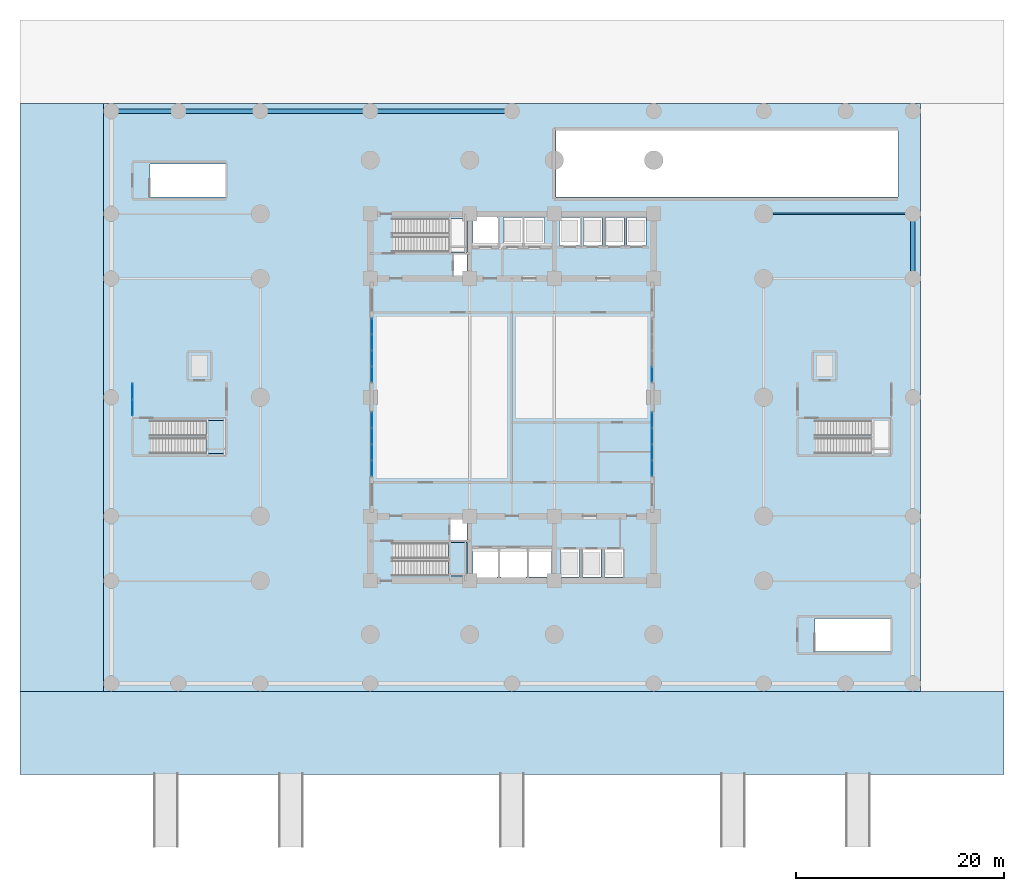
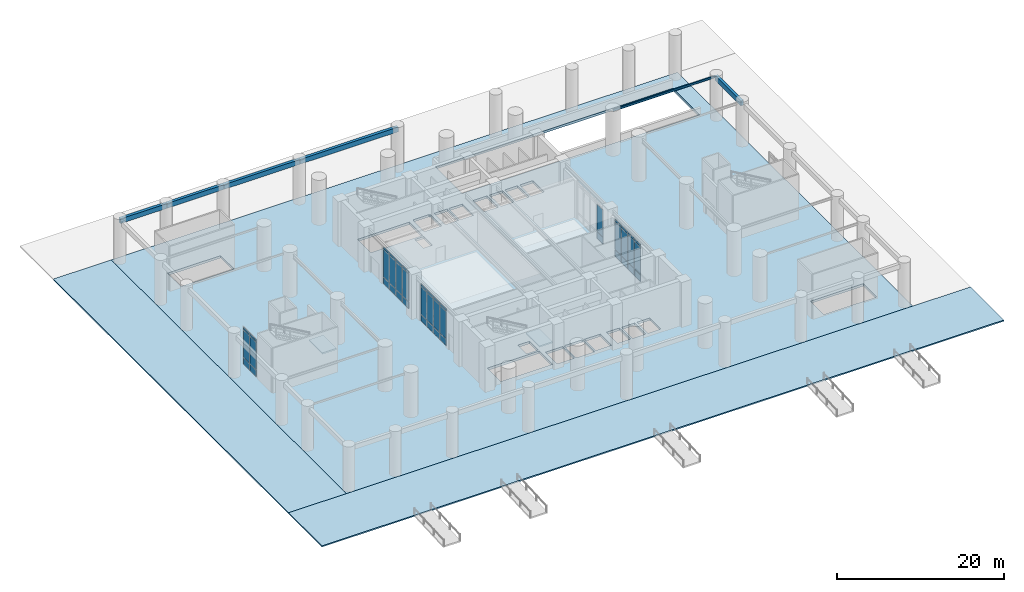
# One storey, part 5 of 16: 44 plates, 6 beams, 5 slabs, 7 elements without a shape of their own.
"""IFC4 building model written with IfcOpenShell, lengths in metres."""

from ifc_helpers import new_model, si_unit, direction, frame, origin, origin_2d, place, context, subcontext, project, spatial, polyline, rectangle, i_section, outline, extrude, material, layer, layer_set, material_profile, profile_set, type_object, element, aggregate, save


model = new_model("IFC4")

# Units and contexts
model_context = context("Model", 3, precision=1e-05, world=origin(), true_north=direction((0.0, 1.0)))
body_context = subcontext(model_context, "Body", "Model", "MODEL_VIEW")
ifc_project = project(units=[si_unit("LENGTHUNIT", "METRE"), si_unit("AREAUNIT", "SQUARE_METRE"), si_unit("VOLUMEUNIT", "CUBIC_METRE"), si_unit("PLANEANGLEUNIT", "RADIAN"), si_unit("MASSUNIT", "GRAM", prefix="KILO")], contexts=[model_context])

# Site, building, storey
site_placement = place(None, origin())
site = spatial("IfcSite", under=ifc_project, at=site_placement, CompositionType="ELEMENT")
building_placement = place(site_placement, origin())
building = spatial("IfcBuilding", under=site, at=building_placement, Name="Svetorya Sky Lyceum", CompositionType="ELEMENT")
storey_placement = place(building_placement, origin())
storey = spatial("IfcBuildingStorey", under=building, at=storey_placement, Name="L00", CompositionType="ELEMENT", Elevation=0.0)

# Beams
ifc_material_1 = material(Name="Concrete C50/60", Category="concrete")
ifc_material_profile_1 = material_profile(ifc_material_1, rectangle(XDim=0.39990234375, YDim=0.699951171875, at=origin_2d()), Name="RC SPANDREL 400x700")
ifc_profile_set_1 = profile_set([ifc_material_profile_1], Name="Concrete C50/60")
beam_type_1 = type_object("IfcBeamType", Name="BM-SPN-700", PredefinedType="SPANDREL", material=ifc_profile_set_1)
beam_1_placement = place(storey_placement, frame((0.75, 55.64990234375, 5.949951171875), z_axis=(1.0, 0.0, 0.0), x_axis=(0.0, 1.0, 0.0)))
element("IfcBeam", 1, at=beam_1_placement, inside=storey, type_object=beam_type_1, Name="L00 Podium North Spandrel 1", PredefinedType="SPANDREL", context=body_context, shape_type="SweptSolid", body=[
    extrude(rectangle(XDim=0.39990234375, YDim=0.699951171875, at=origin_2d()), origin(), (0.0, 0.0, 1.0), 6.449951171875),
])
beam_2_placement = place(storey_placement, frame((7.199951171875, 55.64990234375, 5.949951171875), z_axis=(1.0, 0.0, 0.0), x_axis=(0.0, 1.0, 0.0)))
element("IfcBeam", 2, at=beam_2_placement, inside=storey, type_object=beam_type_1, Name="L00 Podium North Spandrel 2", PredefinedType="SPANDREL", context=body_context, shape_type="SweptSolid", body=[
    extrude(rectangle(XDim=0.39990234375, YDim=0.699951171875, at=origin_2d()), origin(), (0.0, 0.0, 1.0), 7.85009765625),
])
beam_3_placement = place(storey_placement, frame((15.050048828125, 55.64990234375, 5.949951171875), z_axis=(1.0, 0.0, 0.0), x_axis=(0.0, 1.0, 0.0)))
element("IfcBeam", 3, at=beam_3_placement, inside=storey, type_object=beam_type_1, Name="L00 Podium North Spandrel 3", PredefinedType="SPANDREL", context=body_context, shape_type="SweptSolid", body=[
    extrude(rectangle(XDim=0.39990234375, YDim=0.699951171875, at=origin_2d()), origin(), (0.0, 0.0, 1.0), 10.550048828125),
])
beam_4_placement = place(storey_placement, frame((25.60009765625, 55.64990234375, 5.949951171875), z_axis=(1.0, 0.0, 0.0), x_axis=(0.0, 1.0, 0.0)))
element("IfcBeam", 4, at=beam_4_placement, inside=storey, type_object=beam_type_1, Name="L00 Podium North Spandrel 4", PredefinedType="SPANDREL", context=body_context, shape_type="SweptSolid", body=[
    extrude(rectangle(XDim=0.39990234375, YDim=0.699951171875, at=origin_2d()), origin(), (0.0, 0.0, 1.0), 13.599853515625),
])
beam_5_placement = place(storey_placement, frame((77.64990234375, 39.60009765625, 5.949951171875), z_axis=(0.0, 1.0, 0.0), x_axis=(-1.0, 0.0, 0.0)))
element("IfcBeam", 5, at=beam_5_placement, inside=storey, type_object=beam_type_1, Name="L00 Podium East Spandrel 5", PredefinedType="SPANDREL", context=body_context, shape_type="SweptSolid", body=[
    extrude(rectangle(XDim=0.39990234375, YDim=0.699951171875, at=origin_2d()), origin(), (0.0, 0.0, 1.0), 6.199951171875),
])
ifc_material_2 = material(Name="Steel S355", Category="steel")
ifc_material_profile_2 = material_profile(ifc_material_2, i_section(OverallWidth=0.14990234375, OverallDepth=0.299072265625, WebThickness=0.006591796875, FlangeThickness=0.010498046875, at=origin_2d()), Name="GOST 30B2")
ifc_profile_set_2 = profile_set([ifc_material_profile_2], Name="Steel S355")
beam_type_2 = type_object("IfcBeamType", Name="BM-STL-30B2", PredefinedType="JOIST", material=ifc_profile_set_2)
beam_6_placement = place(storey_placement, frame((63.35009765625, 45.800048828125, 6.150390625), z_axis=(1.0, 0.0, 0.0), x_axis=(0.0, 1.0, 0.0)))
element("IfcBeam", 6, at=beam_6_placement, inside=storey, type_object=beam_type_2, Name="L00 Podium Wing Joist E4", PredefinedType="JOIST", context=body_context, shape_type="SweptSolid", body=[
    extrude(i_section(OverallWidth=0.14990234375, OverallDepth=0.299072265625, WebThickness=0.006591796875, FlangeThickness=0.010498046875, at=origin_2d()), origin(), (0.0, 0.0, 1.0), 14.2998046875),
])

# Curtain wall, plates
ifc_material_3 = material(Name="Thermally broken anodized aluminium and triple low-E glass", Category="aluminium")
curtain_wall_type = type_object("IfcCurtainWallType", Name="CW1-POD-FOY", PredefinedType="NOTDEFINED", material=ifc_material_3)
curtain_wall_1_placement = place(storey_placement, origin())
curtain_wall_1 = element("IfcCurtainWall", 7, at=curtain_wall_1_placement, inside=storey, type_object=curtain_wall_type, Name="Pilotis Foyer Curtain Wall CW-1.W1", PredefinedType="NOTDEFINED")
ifc_material_4 = material(Name="Triple insulated low-E solar-control glass", Category="glass")
ifc_layer_1 = layer(ifc_material_4, 0.048095703125)
ifc_layer_set_1 = layer_set([ifc_layer_1], Name="Triple insulated low-E solar-control glass")
plate_type = type_object("IfcPlateType", Name="CWP-GLZ-48", PredefinedType="CURTAIN_PANEL", material=ifc_layer_set_1)
plate_1_placement = place(storey_placement, frame((25.75, 21.393798828125, 0.073486328125), z_axis=(0.0, 0.0, 1.0), x_axis=(0.0, 1.0, 0.0)))
plate_1 = element("IfcPlate", 8, at=plate_1_placement, type_object=plate_type, Name="CW-1 panel 1.1", PredefinedType="CURTAIN_PANEL", context=body_context, shape_type="SweptSolid", body=[
    extrude(rectangle(XDim=1.4404296875, YDim=0.048095703125, at=origin_2d()), origin(), (0.0, 0.0, 1.0), 0.9404296875),
])
plate_2_placement = place(storey_placement, frame((25.75, 21.393798828125, 1.0859375), z_axis=(0.0, 0.0, 1.0), x_axis=(0.0, 1.0, 0.0)))
plate_2 = element("IfcPlate", 9, at=plate_2_placement, type_object=plate_type, Name="CW-1 panel 1.2", PredefinedType="CURTAIN_PANEL", context=body_context, shape_type="SweptSolid", body=[
    extrude(rectangle(XDim=1.4404296875, YDim=0.048095703125, at=origin_2d()), origin(), (0.0, 0.0, 1.0), 4.008056640625),
])
plate_3_placement = place(storey_placement, frame((25.75, 21.393798828125, 5.166015625), z_axis=(0.0, 0.0, 1.0), x_axis=(0.0, 1.0, 0.0)))
plate_3 = element("IfcPlate", 10, at=plate_3_placement, type_object=plate_type, Name="CW-1 panel 1.3", PredefinedType="CURTAIN_PANEL", context=body_context, shape_type="SweptSolid", body=[
    extrude(rectangle(XDim=1.4404296875, YDim=0.048095703125, at=origin_2d()), origin(), (0.0, 0.0, 1.0), 0.340576171875),
])
plate_4_placement = place(storey_placement, frame((25.75, 22.925048828125, 0.073486328125), z_axis=(0.0, 0.0, 1.0), x_axis=(0.0, 1.0, 0.0)))
plate_4 = element("IfcPlate", 11, at=plate_4_placement, type_object=plate_type, Name="CW-1 panel 2.1", PredefinedType="CURTAIN_PANEL", context=body_context, shape_type="SweptSolid", body=[
    extrude(rectangle(XDim=1.47802734375, YDim=0.048095703125, at=origin_2d()), origin(), (0.0, 0.0, 1.0), 0.9404296875),
])
plate_5_placement = place(storey_placement, frame((25.75, 22.925048828125, 1.0859375), z_axis=(0.0, 0.0, 1.0), x_axis=(0.0, 1.0, 0.0)))
plate_5 = element("IfcPlate", 12, at=plate_5_placement, type_object=plate_type, Name="CW-1 panel 2.2", PredefinedType="CURTAIN_PANEL", context=body_context, shape_type="SweptSolid", body=[
    extrude(rectangle(XDim=1.47802734375, YDim=0.048095703125, at=origin_2d()), origin(), (0.0, 0.0, 1.0), 4.008056640625),
])
plate_6_placement = place(storey_placement, frame((25.75, 22.925048828125, 5.166015625), z_axis=(0.0, 0.0, 1.0), x_axis=(0.0, 1.0, 0.0)))
plate_6 = element("IfcPlate", 13, at=plate_6_placement, type_object=plate_type, Name="CW-1 panel 2.3", PredefinedType="CURTAIN_PANEL", context=body_context, shape_type="SweptSolid", body=[
    extrude(rectangle(XDim=1.47802734375, YDim=0.048095703125, at=origin_2d()), origin(), (0.0, 0.0, 1.0), 0.340576171875),
])
plate_7_placement = place(storey_placement, frame((25.75, 24.47509765625, 0.073486328125), z_axis=(0.0, 0.0, 1.0), x_axis=(0.0, 1.0, 0.0)))
plate_7 = element("IfcPlate", 14, at=plate_7_placement, type_object=plate_type, Name="CW-1 panel 3.1", PredefinedType="CURTAIN_PANEL", context=body_context, shape_type="SweptSolid", body=[
    extrude(rectangle(XDim=1.47802734375, YDim=0.048095703125, at=origin_2d()), origin(), (0.0, 0.0, 1.0), 0.9404296875),
])
plate_8_placement = place(storey_placement, frame((25.75, 24.47509765625, 1.0859375), z_axis=(0.0, 0.0, 1.0), x_axis=(0.0, 1.0, 0.0)))
plate_8 = element("IfcPlate", 15, at=plate_8_placement, type_object=plate_type, Name="CW-1 panel 3.2", PredefinedType="CURTAIN_PANEL", context=body_context, shape_type="SweptSolid", body=[
    extrude(rectangle(XDim=1.47802734375, YDim=0.048095703125, at=origin_2d()), origin(), (0.0, 0.0, 1.0), 4.008056640625),
])
plate_9_placement = place(storey_placement, frame((25.75, 24.47509765625, 5.166015625), z_axis=(0.0, 0.0, 1.0), x_axis=(0.0, 1.0, 0.0)))
plate_9 = element("IfcPlate", 16, at=plate_9_placement, type_object=plate_type, Name="CW-1 panel 3.3", PredefinedType="CURTAIN_PANEL", context=body_context, shape_type="SweptSolid", body=[
    extrude(rectangle(XDim=1.47802734375, YDim=0.048095703125, at=origin_2d()), origin(), (0.0, 0.0, 1.0), 0.340576171875),
])
plate_10_placement = place(storey_placement, frame((25.75, 26.00634765625, 0.073486328125), z_axis=(0.0, 0.0, 1.0), x_axis=(0.0, 1.0, 0.0)))
plate_10 = element("IfcPlate", 17, at=plate_10_placement, type_object=plate_type, Name="CW-1 panel 4.1", PredefinedType="CURTAIN_PANEL", context=body_context, shape_type="SweptSolid", body=[
    extrude(rectangle(XDim=1.4404296875, YDim=0.048095703125, at=origin_2d()), origin(), (0.0, 0.0, 1.0), 0.9404296875),
])
plate_11_placement = place(storey_placement, frame((25.75, 26.00634765625, 1.0859375), z_axis=(0.0, 0.0, 1.0), x_axis=(0.0, 1.0, 0.0)))
plate_11 = element("IfcPlate", 18, at=plate_11_placement, type_object=plate_type, Name="CW-1 panel 4.2", PredefinedType="CURTAIN_PANEL", context=body_context, shape_type="SweptSolid", body=[
    extrude(rectangle(XDim=1.4404296875, YDim=0.048095703125, at=origin_2d()), origin(), (0.0, 0.0, 1.0), 4.008056640625),
])
plate_12_placement = place(storey_placement, frame((25.75, 26.00634765625, 5.166015625), z_axis=(0.0, 0.0, 1.0), x_axis=(0.0, 1.0, 0.0)))
plate_12 = element("IfcPlate", 19, at=plate_12_placement, type_object=plate_type, Name="CW-1 panel 4.3", PredefinedType="CURTAIN_PANEL", context=body_context, shape_type="SweptSolid", body=[
    extrude(rectangle(XDim=1.4404296875, YDim=0.048095703125, at=origin_2d()), origin(), (0.0, 0.0, 1.0), 0.340576171875),
])
aggregate(curtain_wall_1, [plate_1, plate_2, plate_3, plate_4, plate_5, plate_6, plate_7, plate_8, plate_9, plate_10, plate_11, plate_12])

curtain_wall_2_placement = place(storey_placement, origin())
curtain_wall_2 = element("IfcCurtainWall", 20, at=curtain_wall_2_placement, inside=storey, type_object=curtain_wall_type, Name="Pilotis Foyer Curtain Wall CW-1.W2", PredefinedType="NOTDEFINED")
plate_13_placement = place(storey_placement, frame((25.75, 30.393798828125, 0.073486328125), z_axis=(0.0, 0.0, 1.0), x_axis=(0.0, 1.0, 0.0)))
plate_13 = element("IfcPlate", 21, at=plate_13_placement, type_object=plate_type, Name="CW-1 panel 1.1", PredefinedType="CURTAIN_PANEL", context=body_context, shape_type="SweptSolid", body=[
    extrude(rectangle(XDim=1.4404296875, YDim=0.048095703125, at=origin_2d()), origin(), (0.0, 0.0, 1.0), 0.9404296875),
])
plate_14_placement = place(storey_placement, frame((25.75, 30.393798828125, 1.0859375), z_axis=(0.0, 0.0, 1.0), x_axis=(0.0, 1.0, 0.0)))
plate_14 = element("IfcPlate", 22, at=plate_14_placement, type_object=plate_type, Name="CW-1 panel 1.2", PredefinedType="CURTAIN_PANEL", context=body_context, shape_type="SweptSolid", body=[
    extrude(rectangle(XDim=1.4404296875, YDim=0.048095703125, at=origin_2d()), origin(), (0.0, 0.0, 1.0), 4.008056640625),
])
plate_15_placement = place(storey_placement, frame((25.75, 30.393798828125, 5.166015625), z_axis=(0.0, 0.0, 1.0), x_axis=(0.0, 1.0, 0.0)))
plate_15 = element("IfcPlate", 23, at=plate_15_placement, type_object=plate_type, Name="CW-1 panel 1.3", PredefinedType="CURTAIN_PANEL", context=body_context, shape_type="SweptSolid", body=[
    extrude(rectangle(XDim=1.4404296875, YDim=0.048095703125, at=origin_2d()), origin(), (0.0, 0.0, 1.0), 0.340576171875),
])
plate_16_placement = place(storey_placement, frame((25.75, 31.925048828125, 0.073486328125), z_axis=(0.0, 0.0, 1.0), x_axis=(0.0, 1.0, 0.0)))
plate_16 = element("IfcPlate", 24, at=plate_16_placement, type_object=plate_type, Name="CW-1 panel 2.1", PredefinedType="CURTAIN_PANEL", context=body_context, shape_type="SweptSolid", body=[
    extrude(rectangle(XDim=1.47802734375, YDim=0.048095703125, at=origin_2d()), origin(), (0.0, 0.0, 1.0), 0.9404296875),
])
plate_17_placement = place(storey_placement, frame((25.75, 31.925048828125, 1.0859375), z_axis=(0.0, 0.0, 1.0), x_axis=(0.0, 1.0, 0.0)))
plate_17 = element("IfcPlate", 25, at=plate_17_placement, type_object=plate_type, Name="CW-1 panel 2.2", PredefinedType="CURTAIN_PANEL", context=body_context, shape_type="SweptSolid", body=[
    extrude(rectangle(XDim=1.47802734375, YDim=0.048095703125, at=origin_2d()), origin(), (0.0, 0.0, 1.0), 4.008056640625),
])
plate_18_placement = place(storey_placement, frame((25.75, 31.925048828125, 5.166015625), z_axis=(0.0, 0.0, 1.0), x_axis=(0.0, 1.0, 0.0)))
plate_18 = element("IfcPlate", 26, at=plate_18_placement, type_object=plate_type, Name="CW-1 panel 2.3", PredefinedType="CURTAIN_PANEL", context=body_context, shape_type="SweptSolid", body=[
    extrude(rectangle(XDim=1.47802734375, YDim=0.048095703125, at=origin_2d()), origin(), (0.0, 0.0, 1.0), 0.340576171875),
])
plate_19_placement = place(storey_placement, frame((25.75, 33.47509765625, 0.073486328125), z_axis=(0.0, 0.0, 1.0), x_axis=(0.0, 1.0, 0.0)))
plate_19 = element("IfcPlate", 27, at=plate_19_placement, type_object=plate_type, Name="CW-1 panel 3.1", PredefinedType="CURTAIN_PANEL", context=body_context, shape_type="SweptSolid", body=[
    extrude(rectangle(XDim=1.47802734375, YDim=0.048095703125, at=origin_2d()), origin(), (0.0, 0.0, 1.0), 0.9404296875),
])
plate_20_placement = place(storey_placement, frame((25.75, 33.47509765625, 1.0859375), z_axis=(0.0, 0.0, 1.0), x_axis=(0.0, 1.0, 0.0)))
plate_20 = element("IfcPlate", 28, at=plate_20_placement, type_object=plate_type, Name="CW-1 panel 3.2", PredefinedType="CURTAIN_PANEL", context=body_context, shape_type="SweptSolid", body=[
    extrude(rectangle(XDim=1.47802734375, YDim=0.048095703125, at=origin_2d()), origin(), (0.0, 0.0, 1.0), 4.008056640625),
])
plate_21_placement = place(storey_placement, frame((25.75, 33.47509765625, 5.166015625), z_axis=(0.0, 0.0, 1.0), x_axis=(0.0, 1.0, 0.0)))
plate_21 = element("IfcPlate", 29, at=plate_21_placement, type_object=plate_type, Name="CW-1 panel 3.3", PredefinedType="CURTAIN_PANEL", context=body_context, shape_type="SweptSolid", body=[
    extrude(rectangle(XDim=1.47802734375, YDim=0.048095703125, at=origin_2d()), origin(), (0.0, 0.0, 1.0), 0.340576171875),
])
plate_22_placement = place(storey_placement, frame((25.75, 35.00634765625, 0.073486328125), z_axis=(0.0, 0.0, 1.0), x_axis=(0.0, 1.0, 0.0)))
plate_22 = element("IfcPlate", 30, at=plate_22_placement, type_object=plate_type, Name="CW-1 panel 4.1", PredefinedType="CURTAIN_PANEL", context=body_context, shape_type="SweptSolid", body=[
    extrude(rectangle(XDim=1.4404296875, YDim=0.048095703125, at=origin_2d()), origin(), (0.0, 0.0, 1.0), 0.9404296875),
])
plate_23_placement = place(storey_placement, frame((25.75, 35.00634765625, 1.0859375), z_axis=(0.0, 0.0, 1.0), x_axis=(0.0, 1.0, 0.0)))
plate_23 = element("IfcPlate", 31, at=plate_23_placement, type_object=plate_type, Name="CW-1 panel 4.2", PredefinedType="CURTAIN_PANEL", context=body_context, shape_type="SweptSolid", body=[
    extrude(rectangle(XDim=1.4404296875, YDim=0.048095703125, at=origin_2d()), origin(), (0.0, 0.0, 1.0), 4.008056640625),
])
plate_24_placement = place(storey_placement, frame((25.75, 35.00634765625, 5.166015625), z_axis=(0.0, 0.0, 1.0), x_axis=(0.0, 1.0, 0.0)))
plate_24 = element("IfcPlate", 32, at=plate_24_placement, type_object=plate_type, Name="CW-1 panel 4.3", PredefinedType="CURTAIN_PANEL", context=body_context, shape_type="SweptSolid", body=[
    extrude(rectangle(XDim=1.4404296875, YDim=0.048095703125, at=origin_2d()), origin(), (0.0, 0.0, 1.0), 0.340576171875),
])
aggregate(curtain_wall_2, [plate_13, plate_14, plate_15, plate_16, plate_17, plate_18, plate_19, plate_20, plate_21, plate_22, plate_23, plate_24])

curtain_wall_3_placement = place(storey_placement, origin())
curtain_wall_3 = element("IfcCurtainWall", 33, at=curtain_wall_3_placement, inside=storey, type_object=curtain_wall_type, Name="Pilotis Foyer Curtain Wall CW-1.E1", PredefinedType="NOTDEFINED")
plate_25_placement = place(storey_placement, frame((52.64990234375, 21.393798828125, 0.073486328125), z_axis=(0.0, 0.0, 1.0), x_axis=(0.0, 1.0, 0.0)))
plate_25 = element("IfcPlate", 34, at=plate_25_placement, type_object=plate_type, Name="CW-1 panel 1.1", PredefinedType="CURTAIN_PANEL", context=body_context, shape_type="SweptSolid", body=[
    extrude(rectangle(XDim=1.4404296875, YDim=0.048095703125, at=origin_2d()), origin(), (0.0, 0.0, 1.0), 0.9404296875),
])
plate_26_placement = place(storey_placement, frame((52.64990234375, 21.393798828125, 1.0859375), z_axis=(0.0, 0.0, 1.0), x_axis=(0.0, 1.0, 0.0)))
plate_26 = element("IfcPlate", 35, at=plate_26_placement, type_object=plate_type, Name="CW-1 panel 1.2", PredefinedType="CURTAIN_PANEL", context=body_context, shape_type="SweptSolid", body=[
    extrude(rectangle(XDim=1.4404296875, YDim=0.048095703125, at=origin_2d()), origin(), (0.0, 0.0, 1.0), 4.008056640625),
])
plate_27_placement = place(storey_placement, frame((52.64990234375, 21.393798828125, 5.166015625), z_axis=(0.0, 0.0, 1.0), x_axis=(0.0, 1.0, 0.0)))
plate_27 = element("IfcPlate", 36, at=plate_27_placement, type_object=plate_type, Name="CW-1 panel 1.3", PredefinedType="CURTAIN_PANEL", context=body_context, shape_type="SweptSolid", body=[
    extrude(rectangle(XDim=1.4404296875, YDim=0.048095703125, at=origin_2d()), origin(), (0.0, 0.0, 1.0), 0.340576171875),
])
plate_28_placement = place(storey_placement, frame((52.64990234375, 22.925048828125, 0.073486328125), z_axis=(0.0, 0.0, 1.0), x_axis=(0.0, 1.0, 0.0)))
plate_28 = element("IfcPlate", 37, at=plate_28_placement, type_object=plate_type, Name="CW-1 panel 2.1", PredefinedType="CURTAIN_PANEL", context=body_context, shape_type="SweptSolid", body=[
    extrude(rectangle(XDim=1.47802734375, YDim=0.048095703125, at=origin_2d()), origin(), (0.0, 0.0, 1.0), 0.9404296875),
])
plate_29_placement = place(storey_placement, frame((52.64990234375, 22.925048828125, 1.0859375), z_axis=(0.0, 0.0, 1.0), x_axis=(0.0, 1.0, 0.0)))
plate_29 = element("IfcPlate", 38, at=plate_29_placement, type_object=plate_type, Name="CW-1 panel 2.2", PredefinedType="CURTAIN_PANEL", context=body_context, shape_type="SweptSolid", body=[
    extrude(rectangle(XDim=1.47802734375, YDim=0.048095703125, at=origin_2d()), origin(), (0.0, 0.0, 1.0), 4.008056640625),
])
plate_30_placement = place(storey_placement, frame((52.64990234375, 22.925048828125, 5.166015625), z_axis=(0.0, 0.0, 1.0), x_axis=(0.0, 1.0, 0.0)))
plate_30 = element("IfcPlate", 39, at=plate_30_placement, type_object=plate_type, Name="CW-1 panel 2.3", PredefinedType="CURTAIN_PANEL", context=body_context, shape_type="SweptSolid", body=[
    extrude(rectangle(XDim=1.47802734375, YDim=0.048095703125, at=origin_2d()), origin(), (0.0, 0.0, 1.0), 0.340576171875),
])
plate_31_placement = place(storey_placement, frame((52.64990234375, 24.47509765625, 0.073486328125), z_axis=(0.0, 0.0, 1.0), x_axis=(0.0, 1.0, 0.0)))
plate_31 = element("IfcPlate", 40, at=plate_31_placement, type_object=plate_type, Name="CW-1 panel 3.1", PredefinedType="CURTAIN_PANEL", context=body_context, shape_type="SweptSolid", body=[
    extrude(rectangle(XDim=1.47802734375, YDim=0.048095703125, at=origin_2d()), origin(), (0.0, 0.0, 1.0), 0.9404296875),
])
plate_32_placement = place(storey_placement, frame((52.64990234375, 24.47509765625, 1.0859375), z_axis=(0.0, 0.0, 1.0), x_axis=(0.0, 1.0, 0.0)))
plate_32 = element("IfcPlate", 41, at=plate_32_placement, type_object=plate_type, Name="CW-1 panel 3.2", PredefinedType="CURTAIN_PANEL", context=body_context, shape_type="SweptSolid", body=[
    extrude(rectangle(XDim=1.47802734375, YDim=0.048095703125, at=origin_2d()), origin(), (0.0, 0.0, 1.0), 4.008056640625),
])
plate_33_placement = place(storey_placement, frame((52.64990234375, 24.47509765625, 5.166015625), z_axis=(0.0, 0.0, 1.0), x_axis=(0.0, 1.0, 0.0)))
plate_33 = element("IfcPlate", 42, at=plate_33_placement, type_object=plate_type, Name="CW-1 panel 3.3", PredefinedType="CURTAIN_PANEL", context=body_context, shape_type="SweptSolid", body=[
    extrude(rectangle(XDim=1.47802734375, YDim=0.048095703125, at=origin_2d()), origin(), (0.0, 0.0, 1.0), 0.340576171875),
])
plate_34_placement = place(storey_placement, frame((52.64990234375, 26.00634765625, 0.073486328125), z_axis=(0.0, 0.0, 1.0), x_axis=(0.0, 1.0, 0.0)))
plate_34 = element("IfcPlate", 43, at=plate_34_placement, type_object=plate_type, Name="CW-1 panel 4.1", PredefinedType="CURTAIN_PANEL", context=body_context, shape_type="SweptSolid", body=[
    extrude(rectangle(XDim=1.4404296875, YDim=0.048095703125, at=origin_2d()), origin(), (0.0, 0.0, 1.0), 0.9404296875),
])
plate_35_placement = place(storey_placement, frame((52.64990234375, 26.00634765625, 1.0859375), z_axis=(0.0, 0.0, 1.0), x_axis=(0.0, 1.0, 0.0)))
plate_35 = element("IfcPlate", 44, at=plate_35_placement, type_object=plate_type, Name="CW-1 panel 4.2", PredefinedType="CURTAIN_PANEL", context=body_context, shape_type="SweptSolid", body=[
    extrude(rectangle(XDim=1.4404296875, YDim=0.048095703125, at=origin_2d()), origin(), (0.0, 0.0, 1.0), 4.008056640625),
])
plate_36_placement = place(storey_placement, frame((52.64990234375, 26.00634765625, 5.166015625), z_axis=(0.0, 0.0, 1.0), x_axis=(0.0, 1.0, 0.0)))
plate_36 = element("IfcPlate", 45, at=plate_36_placement, type_object=plate_type, Name="CW-1 panel 4.3", PredefinedType="CURTAIN_PANEL", context=body_context, shape_type="SweptSolid", body=[
    extrude(rectangle(XDim=1.4404296875, YDim=0.048095703125, at=origin_2d()), origin(), (0.0, 0.0, 1.0), 0.340576171875),
])
aggregate(curtain_wall_3, [plate_25, plate_26, plate_27, plate_28, plate_29, plate_30, plate_31, plate_32, plate_33, plate_34, plate_35, plate_36])

curtain_wall_4_placement = place(storey_placement, origin())
curtain_wall_4 = element("IfcCurtainWall", 46, at=curtain_wall_4_placement, inside=storey, type_object=curtain_wall_type, Name="Pilotis Foyer Curtain Wall CW-1.E2", PredefinedType="NOTDEFINED")
plate_37_placement = place(storey_placement, frame((52.64990234375, 30.393798828125, 0.073486328125), z_axis=(0.0, 0.0, 1.0), x_axis=(0.0, 1.0, 0.0)))
plate_37 = element("IfcPlate", 47, at=plate_37_placement, type_object=plate_type, Name="CW-1 panel 1.1", PredefinedType="CURTAIN_PANEL", context=body_context, shape_type="SweptSolid", body=[
    extrude(rectangle(XDim=1.4404296875, YDim=0.048095703125, at=origin_2d()), origin(), (0.0, 0.0, 1.0), 0.9404296875),
])
plate_38_placement = place(storey_placement, frame((52.64990234375, 30.393798828125, 1.0859375), z_axis=(0.0, 0.0, 1.0), x_axis=(0.0, 1.0, 0.0)))
plate_38 = element("IfcPlate", 48, at=plate_38_placement, type_object=plate_type, Name="CW-1 panel 1.2", PredefinedType="CURTAIN_PANEL", context=body_context, shape_type="SweptSolid", body=[
    extrude(rectangle(XDim=1.4404296875, YDim=0.048095703125, at=origin_2d()), origin(), (0.0, 0.0, 1.0), 4.008056640625),
])
aggregate(curtain_wall_4, [plate_37, plate_38])

curtain_wall_5_placement = place(storey_placement, origin())
curtain_wall_5 = element("IfcCurtainWall", 49, at=curtain_wall_5_placement, inside=storey, type_object=curtain_wall_type, Name="Lyceum Ground Vestibule Curtain Wall W", PredefinedType="NOTDEFINED")
plate_39_placement = place(storey_placement, frame((2.800048828125, 27.21875, 0.073486328125), z_axis=(0.0, 0.0, 1.0), x_axis=(0.0, 1.0, 0.0)))
plate_39 = element("IfcPlate", 50, at=plate_39_placement, type_object=plate_type, Name="CW-1 panel 1.1", PredefinedType="CURTAIN_PANEL", context=body_context, shape_type="SweptSolid", body=[
    extrude(rectangle(XDim=1.490478515625, YDim=0.048095703125, at=origin_2d()), origin(), (0.0, 0.0, 1.0), 0.9404296875),
])
plate_40_placement = place(storey_placement, frame((2.800048828125, 27.21875, 1.0859375), z_axis=(0.0, 0.0, 1.0), x_axis=(0.0, 1.0, 0.0)))
plate_40 = element("IfcPlate", 51, at=plate_40_placement, type_object=plate_type, Name="CW-1 panel 1.2", PredefinedType="CURTAIN_PANEL", context=body_context, shape_type="SweptSolid", body=[
    extrude(rectangle(XDim=1.490478515625, YDim=0.048095703125, at=origin_2d()), origin(), (0.0, 0.0, 1.0), 4.008056640625),
])
plate_41_placement = place(storey_placement, frame((2.800048828125, 27.21875, 5.166015625), z_axis=(0.0, 0.0, 1.0), x_axis=(0.0, 1.0, 0.0)))
plate_41 = element("IfcPlate", 52, at=plate_41_placement, type_object=plate_type, Name="CW-1 panel 1.3", PredefinedType="CURTAIN_PANEL", context=body_context, shape_type="SweptSolid", body=[
    extrude(rectangle(XDim=1.490478515625, YDim=0.048095703125, at=origin_2d()), origin(), (0.0, 0.0, 1.0), 0.340576171875),
])
plate_42_placement = place(storey_placement, frame((2.800048828125, 28.78125, 0.073486328125), z_axis=(0.0, 0.0, 1.0), x_axis=(0.0, 1.0, 0.0)))
plate_42 = element("IfcPlate", 53, at=plate_42_placement, type_object=plate_type, Name="CW-1 panel 2.1", PredefinedType="CURTAIN_PANEL", context=body_context, shape_type="SweptSolid", body=[
    extrude(rectangle(XDim=1.490478515625, YDim=0.048095703125, at=origin_2d()), origin(), (0.0, 0.0, 1.0), 0.9404296875),
])
plate_43_placement = place(storey_placement, frame((2.800048828125, 28.78125, 1.0859375), z_axis=(0.0, 0.0, 1.0), x_axis=(0.0, 1.0, 0.0)))
plate_43 = element("IfcPlate", 54, at=plate_43_placement, type_object=plate_type, Name="CW-1 panel 2.2", PredefinedType="CURTAIN_PANEL", context=body_context, shape_type="SweptSolid", body=[
    extrude(rectangle(XDim=1.490478515625, YDim=0.048095703125, at=origin_2d()), origin(), (0.0, 0.0, 1.0), 4.008056640625),
])
plate_44_placement = place(storey_placement, frame((2.800048828125, 28.78125, 5.166015625), z_axis=(0.0, 0.0, 1.0), x_axis=(0.0, 1.0, 0.0)))
plate_44 = element("IfcPlate", 55, at=plate_44_placement, type_object=plate_type, Name="CW-1 panel 2.3", PredefinedType="CURTAIN_PANEL", context=body_context, shape_type="SweptSolid", body=[
    extrude(rectangle(XDim=1.490478515625, YDim=0.048095703125, at=origin_2d()), origin(), (0.0, 0.0, 1.0), 0.340576171875),
])
aggregate(curtain_wall_5, [plate_39, plate_40, plate_41, plate_42, plate_43, plate_44])

# Slabs
ifc_layer_2 = layer(ifc_material_1, 0.35009765625)
ifc_layer_set_2 = layer_set([ifc_layer_2], Name="Concrete C50/60")
slab_type_1 = type_object("IfcSlabType", Name="SL-L00-350", PredefinedType="FLOOR", material=ifc_layer_set_2)
slab_1_placement = place(storey_placement, frame((0.0, 0.0, -0.35009765625)))
element("IfcSlab", 56, at=slab_1_placement, inside=storey, type_object=slab_type_1, Name="L00 Structural Floor Slab", PredefinedType="FLOOR", context=body_context, shape_type="SweptSolid", body=[
    extrude(outline(polyline([(0.0, 0.0), (78.39990234375, 0.0), (78.39990234375, 56.39990234375), (0.0, 56.39990234375), (0.0, 0.0)]), holes=[polyline([(37.85009765625, 10.949951171875), (37.75, 10.949951171875), (37.75, 10.85009765625), (35.550048828125, 10.85009765625), (35.550048828125, 10.949951171875), (35.449951171875, 10.949951171875), (35.449951171875, 13.64990234375), (35.550048828125, 13.64990234375), (37.75, 13.64990234375), (37.85009765625, 13.64990234375), (37.85009765625, 10.949951171875)]), polyline([(40.64990234375, 13.64990234375), (40.64990234375, 10.949951171875), (40.550048828125, 10.949951171875), (40.550048828125, 10.800048828125), (38.14990234375, 10.800048828125), (38.14990234375, 10.949951171875), (38.050048828125, 10.949951171875), (38.050048828125, 13.64990234375), (38.14990234375, 13.64990234375), (38.14990234375, 13.699951171875), (40.550048828125, 13.699951171875), (40.550048828125, 13.64990234375), (40.64990234375, 13.64990234375)]), polyline([(27.719970703125, 14.25), (34.89990234375, 14.25), (34.89990234375, 11.050048828125), (27.719970703125, 11.050048828125), (27.719970703125, 14.25)]), polyline([(33.300048828125, 14.52001953125), (33.300048828125, 16.580078125), (34.89990234375, 16.580078125), (34.89990234375, 14.52001953125), (33.300048828125, 14.52001953125)]), polyline([(33.64990234375, 41.89990234375), (34.89990234375, 41.89990234375), (34.89990234375, 39.820068359375), (33.64990234375, 39.820068359375), (33.64990234375, 41.89990234375)]), polyline([(27.719970703125, 45.35009765625), (34.89990234375, 45.35009765625), (34.89990234375, 42.14990234375), (27.719970703125, 42.14990234375), (27.719970703125, 45.35009765625)]), polyline([(37.75, 45.550048828125), (37.75, 45.449951171875), (37.85009765625, 45.449951171875), (37.85009765625, 42.75), (37.75, 42.75), (35.550048828125, 42.75), (35.449951171875, 42.75), (35.449951171875, 45.449951171875), (35.550048828125, 45.449951171875), (35.550048828125, 45.550048828125), (37.75, 45.550048828125)]), polyline([(38.39990234375, 45.449951171875), (40.199951171875, 45.449951171875), (40.199951171875, 42.75), (38.39990234375, 42.75), (38.39990234375, 45.449951171875)]), polyline([(4.469970703125, 47.39990234375), (4.469970703125, 50.60009765625), (11.800048828125, 50.60009765625), (11.800048828125, 47.39990234375), (4.469970703125, 47.39990234375)]), polyline([(68.27001953125, 7.0), (75.60009765625, 7.0), (75.60009765625, 3.800048828125), (68.27001953125, 3.800048828125), (68.27001953125, 7.0)]), polyline([(43.85009765625, 13.60009765625), (45.64990234375, 13.60009765625), (45.64990234375, 10.949951171875), (43.85009765625, 10.949951171875), (43.85009765625, 13.60009765625)]), polyline([(45.949951171875, 10.949951171875), (45.949951171875, 13.60009765625), (47.75, 13.60009765625), (47.75, 10.949951171875), (45.949951171875, 10.949951171875)]), polyline([(48.050048828125, 13.60009765625), (49.85009765625, 13.60009765625), (49.85009765625, 10.949951171875), (48.050048828125, 10.949951171875), (48.050048828125, 13.60009765625)]), polyline([(40.85009765625, 13.64990234375), (43.0, 13.64990234375), (43.0, 10.949951171875), (40.85009765625, 10.949951171875), (40.85009765625, 13.64990234375)]), polyline([(40.39990234375, 42.75), (40.39990234375, 45.449951171875), (42.300048828125, 45.449951171875), (42.300048828125, 42.75), (40.39990234375, 42.75)]), polyline([(43.75, 45.449951171875), (45.699951171875, 45.449951171875), (45.699951171875, 42.75), (43.75, 42.75), (43.75, 45.449951171875)]), polyline([(46.050048828125, 45.449951171875), (47.85009765625, 45.449951171875), (47.85009765625, 42.75), (46.050048828125, 42.75), (46.050048828125, 45.449951171875)]), polyline([(48.14990234375, 42.75), (48.14990234375, 45.449951171875), (49.949951171875, 45.449951171875), (49.949951171875, 42.75), (48.14990234375, 42.75)]), polyline([(50.25, 45.449951171875), (52.050048828125, 45.449951171875), (52.050048828125, 42.75), (50.25, 42.75), (50.25, 45.449951171875)]), polyline([(43.39990234375, 53.800048828125), (76.25, 53.800048828125), (76.25, 47.39990234375), (43.39990234375, 47.39990234375), (43.39990234375, 53.800048828125)])]), origin(), (0.0, 0.0, 1.0), 0.35009765625),
])
ifc_material_5 = material(Name="Karelian light granite paving on Concrete C40/50", Category="masonry")
ifc_layer_3 = layer(ifc_material_5, 0.179931640625)
ifc_layer_set_3 = layer_set([ifc_layer_3], Name="Karelian light granite paving on Concrete C40/50")
slab_type_2 = type_object("IfcSlabType", Name="SL-PLAZA-180", PredefinedType="USERDEFINED", material=ifc_layer_set_3)
slab_2_placement = place(storey_placement, frame((0.0, 0.0, -0.179931640625)))
element("IfcSlab", 57, at=slab_2_placement, inside=storey, type_object=slab_type_2, Name="Forecourt Karelian Granite Plaza S", ObjectType="PAVING", PredefinedType="USERDEFINED", context=body_context, shape_type="SweptSolid", body=[
    extrude(outline(polyline([(-8.0, -8.0), (86.39990234375, -8.0), (86.39990234375, 0.0), (-8.0, 0.0), (-8.0, -8.0)])), origin(), (0.0, 0.0, 1.0), 0.179931640625),
])
slab_3_placement = place(storey_placement, frame((0.0, 0.0, -0.179931640625)))
element("IfcSlab", 58, at=slab_3_placement, inside=storey, type_object=slab_type_2, Name="Forecourt Karelian Granite Plaza W", ObjectType="PAVING", PredefinedType="USERDEFINED", context=body_context, shape_type="SweptSolid", body=[
    extrude(outline(polyline([(-8.0, 0.0), (0.0, 0.0), (0.0, 56.39990234375), (-8.0, 56.39990234375), (-8.0, 0.0)])), origin(), (0.0, 0.0, 1.0), 0.179931640625),
])

# Stair, slab
ifc_material_6 = material(Name="Concrete C40/50", Category="concrete")
stair_type_1 = type_object("IfcStairType", Name="STR-ST-S", PredefinedType="HALF_TURN_STAIR", material=ifc_material_6)
stair_1_placement = place(storey_placement, origin())
stair_1 = element("IfcStair", 59, at=stair_1_placement, inside=storey, type_object=stair_type_1, Name="L00 South Core Smoke-Free Exit Stair N2", PredefinedType="HALF_TURN_STAIR")
ifc_layer_4 = layer(ifc_material_6, 0.199951171875)
ifc_layer_set_4 = layer_set([ifc_layer_4], Name="Concrete C40/50")
slab_type_3 = type_object("IfcSlabType", Name="SL-STR-LAND-200", PredefinedType="LANDING", material=ifc_layer_set_4)
slab_4_placement = place(storey_placement, frame((0.0, 0.0, 3.10009765625)))
slab_4 = element("IfcSlab", 60, at=slab_4_placement, type_object=slab_type_3, Name="ST-S landing 1", PredefinedType="LANDING", context=body_context, shape_type="SweptSolid", body=[
    extrude(outline(polyline([(33.10009765625, 11.050048828125), (34.89990234375, 11.050048828125), (34.89990234375, 14.25), (33.10009765625, 14.25), (33.10009765625, 11.050048828125)])), origin(), (0.0, 0.0, 1.0), 0.199951171875),
])
aggregate(stair_1, [slab_4])

stair_type_2 = type_object("IfcStairType", Name="STR-ST-SCH-W", PredefinedType="HALF_TURN_STAIR", material=ifc_material_6)
stair_2_placement = place(storey_placement, origin())
stair_2 = element("IfcStair", 61, at=stair_2_placement, inside=storey, type_object=stair_type_2, Name="L00 West Lyceum Podium Dedicated Stair", PredefinedType="HALF_TURN_STAIR")
slab_5_placement = place(storey_placement, frame((0.0, 0.0, 3.10009765625)))
slab_5 = element("IfcSlab", 62, at=slab_5_placement, type_object=slab_type_3, Name="ST-SCH-W landing 1", PredefinedType="LANDING", context=body_context, shape_type="SweptSolid", body=[
    extrude(outline(polyline([(9.85009765625, 22.800048828125), (11.800048828125, 22.800048828125), (11.800048828125, 26.0), (9.85009765625, 26.0), (9.85009765625, 22.800048828125)])), origin(), (0.0, 0.0, 1.0), 0.199951171875),
])
aggregate(stair_2, [slab_5])

save(model, "model.ifc")
